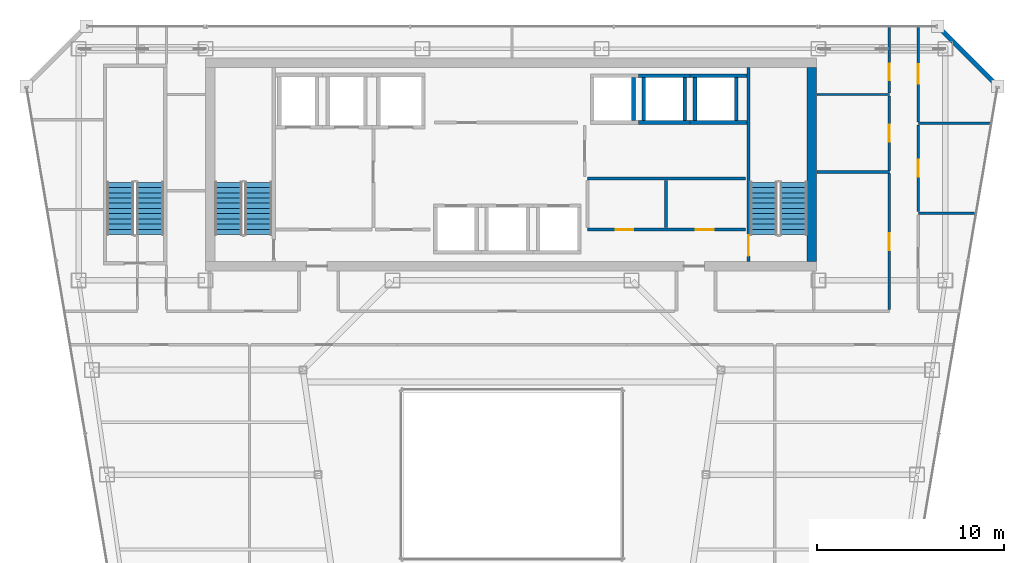
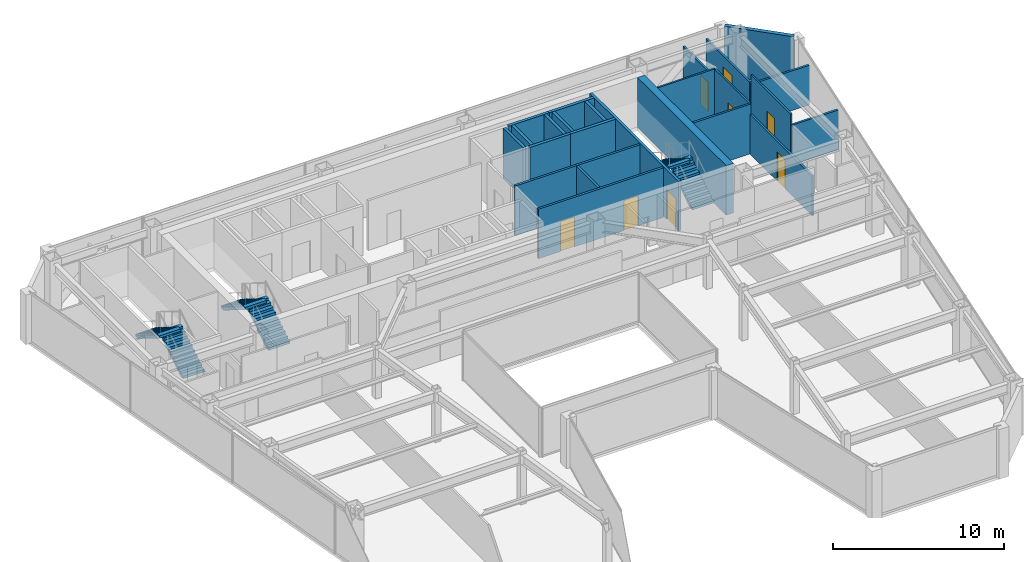
# One storey, part 32 of 35: 24 walls, 8 doors, 6 stair flights, 8 openings, 3 elements without a shape of their own.
"""IFC4 building model written with IfcOpenShell, lengths in metres."""

from ifc_helpers import new_model, si_unit, direction, frame, frame_2d, origin, place, context, subcontext, project, spatial, polyline, rectangle, outline, extrude, material, layer, layer_set, type_object, element, fill, aggregate, save


model = new_model("IFC4")

# Units and contexts
model_context = context("Model", 3, precision=1e-05, world=origin(), true_north=direction((0.0, 1.0)))
body_context = subcontext(model_context, "Body", "Model", "MODEL_VIEW")
ifc_project = project(units=[si_unit("LENGTHUNIT", "METRE"), si_unit("AREAUNIT", "SQUARE_METRE"), si_unit("VOLUMEUNIT", "CUBIC_METRE"), si_unit("PLANEANGLEUNIT", "RADIAN"), si_unit("MASSUNIT", "GRAM", prefix="KILO")], contexts=[model_context])

# Site, building, storey
site_placement = place(None, origin())
site = spatial("IfcSite", under=ifc_project, at=site_placement, CompositionType="ELEMENT")
building_placement = place(site_placement, origin())
building = spatial("IfcBuilding", under=site, at=building_placement, Name="Saevonmaru Cultural Tower", CompositionType="ELEMENT")
storey_placement = place(building_placement, frame((0.0, 0.0, 217.0)))
storey = spatial("IfcBuildingStorey", under=building, at=storey_placement, Name="L50", CompositionType="ELEMENT", Elevation=217.0)

# Wall
ifc_material_1 = material(Name="Concrete C60/75", Category="concrete")
ifc_layer_1 = layer(ifc_material_1, 0.5, Name="Concrete C60/75")
ifc_layer_set_1 = layer_set([ifc_layer_1], Name="Concrete C60/75")
wall_type_1 = type_object("IfcWallType", Name="WL-CORE-500", PredefinedType="SHEAR", material=ifc_layer_set_1)
wall_1_placement = place(storey_placement, frame((46.050048828125, 43.39990234375, 0.0), z_axis=(0.0, 0.0, 1.0), x_axis=(0.0, 1.0, 0.0)))
element("IfcWall", 1, at=wall_1_placement, inside=storey, type_object=wall_type_1, Name="L50 Tower RC core shear wall E", PredefinedType="SHEAR", context=body_context, shape_type="SweptSolid", body=[
    extrude(rectangle(XDim=10.400146484375, YDim=0.5, at=frame_2d((5.2001953125, 0.0))), origin(), (0.0, 0.0, 1.0), 3.550048828125),
])

# Wall, openings, doors
ifc_material_2 = material(Name="Gypsum Fireboard Partition", Category="gypsum")
ifc_layer_2 = layer(ifc_material_2, 0.14990234375, Name="Gypsum Fireboard Partition")
ifc_layer_set_2 = layer_set([ifc_layer_2], Name="Gypsum Fireboard Partition")
wall_type_2 = type_object("IfcWallType", Name="WL-CORE-PART-150", PredefinedType="PARTITIONING", material=ifc_layer_set_2)
wall_2_placement = place(storey_placement, frame((34.050048828125, 45.1201171875, 0.0), z_axis=(0.0, 0.0, 1.0), x_axis=(1.0, 0.0, 0.0)))
wall_2 = element("IfcWall", 2, at=wall_2_placement, inside=storey, type_object=wall_type_2, Name="L50 Core Plant South Wall", PredefinedType="PARTITIONING", context=body_context, shape_type="SweptSolid", body=[
    extrude(rectangle(XDim=8.449951171875, YDim=0.14990234375, at=frame_2d((4.22509765625, 0.0))), origin(), (0.0, 0.0, 1.0), 3.550048828125),
])
opening_1_placement = place(wall_2_placement, frame((1.5, 0.0, 0.0)))
opening_1 = element("IfcOpeningElement", 3, at=opening_1_placement, cuts=wall_2, Name="Opening FD-4", PredefinedType="OPENING", context=body_context, shape_type="SweptSolid", body=[
    extrude(rectangle(XDim=0.949951171875, YDim=2.14990234375, at=frame_2d((0.47509765625, 1.074951171875))), frame((0.0, 0.0849609375, 0.0), z_axis=(0.0, -1.0, 0.0), x_axis=(1.0, 0.0, 0.0)), (0.0, 0.0, 1.0), 0.169921875),
])
opening_2_placement = place(wall_2_placement, frame((5.800048828125, 0.0, 0.0)))
opening_2 = element("IfcOpeningElement", 4, at=opening_2_placement, cuts=wall_2, Name="Opening FD-4", PredefinedType="OPENING", context=body_context, shape_type="SweptSolid", body=[
    extrude(rectangle(XDim=0.949951171875, YDim=2.14990234375, at=frame_2d((0.47509765625, 1.074951171875))), frame((0.0, 0.0849609375, 0.0), z_axis=(0.0, -1.0, 0.0), x_axis=(1.0, 0.0, 0.0)), (0.0, 0.0, 1.0), 0.169921875),
])
ifc_material_3 = material(Name="Satin Bronze Anodised Aluminium", Category="aluminium")
door_type_1 = type_object("IfcDoorType", Name="DR-FD60-950", OperationType="SINGLE_SWING_LEFT", PredefinedType="DOOR", material=ifc_material_3)
door_1_placement = place(opening_1_placement, origin())
door_1 = element("IfcDoor", 5, at=door_1_placement, inside=storey, type_object=door_type_1, Name="L50 Floor AHU Plant Door", OperationType="SINGLE_SWING_LEFT", OverallHeight=2.14990234375, OverallWidth=0.949951171875, PredefinedType="DOOR", context=body_context, shape_type="SweptSolid", body=[
    extrude(rectangle(XDim=0.949951171875, YDim=2.14990234375, at=frame_2d((0.47509765625, 1.074951171875))), frame((0.0, 0.02490234375, 0.0), z_axis=(0.0, -1.0, 0.0), x_axis=(1.0, 0.0, 0.0)), (0.0, 0.0, 1.0), 0.050048828125),
])
fill(opening_1, door_1)
door_2_placement = place(opening_2_placement, origin())
door_2 = element("IfcDoor", 6, at=door_2_placement, inside=storey, type_object=door_type_1, Name="L50 Housekeeping Storage Door", OperationType="SINGLE_SWING_LEFT", OverallHeight=2.14990234375, OverallWidth=0.949951171875, PredefinedType="DOOR", context=body_context, shape_type="SweptSolid", body=[
    extrude(rectangle(XDim=0.949951171875, YDim=2.14990234375, at=frame_2d((0.47509765625, 1.074951171875))), frame((0.0, 0.02490234375, 0.0), z_axis=(0.0, -1.0, 0.0), x_axis=(1.0, 0.0, 0.0)), (0.0, 0.0, 1.0), 0.050048828125),
])
fill(opening_2, door_2)

# Walls
wall_3_placement = place(storey_placement, frame((34.050048828125, 47.85009765625, 0.0), z_axis=(0.0, 0.0, 1.0), x_axis=(1.0, 0.0, 0.0)))
element("IfcWall", 7, at=wall_3_placement, inside=storey, type_object=wall_type_2, Name="L50 Core Plant North Wall", PredefinedType="PARTITIONING", context=body_context, shape_type="SweptSolid", body=[
    extrude(rectangle(XDim=8.449951171875, YDim=0.14990234375, at=frame_2d((4.22509765625, 0.0))), origin(), (0.0, 0.0, 1.0), 3.550048828125),
])
wall_4_placement = place(storey_placement, frame((38.25, 45.219970703125, 0.0), z_axis=(0.0, 0.0, 1.0), x_axis=(0.0, 1.0, 0.0)))
element("IfcWall", 8, at=wall_4_placement, inside=storey, type_object=wall_type_2, Name="L50 Core Plant Split", PredefinedType="PARTITIONING", context=body_context, shape_type="SweptSolid", body=[
    extrude(rectangle(XDim=2.530029296875, YDim=0.14990234375, at=frame_2d((1.26513671875, 0.0))), origin(), (0.0, 0.0, 1.0), 3.550048828125),
])
ifc_material_4 = material(Name="Granite-Clad Precast Concrete C40/50", Category="masonry")
ifc_layer_3 = layer(ifc_material_4, 0.260009765625, Name="Granite-Clad Precast Concrete C40/50")
ifc_layer_set_3 = layer_set([ifc_layer_3], Name="Granite-Clad Precast Concrete C40/50")
wall_type_3 = type_object("IfcWallType", Name="WL-EXT-SPANDREL-260", PredefinedType="STANDARD", material=ifc_layer_set_3)
wall_5_placement = place(storey_placement, frame((55.886962890625, 52.9130859375, 0.0), z_axis=(0.0, 0.0, 1.0), x_axis=(-0.707106781187, 0.707106781187, 0.0)))
element("IfcWall", 9, at=wall_5_placement, inside=storey, type_object=wall_type_3, Name="L50 Chamfer Corner Spandrel Wall E9", PredefinedType="STANDARD", context=body_context, shape_type="SweptSolid", body=[
    extrude(rectangle(XDim=4.205810546875, YDim=0.260009765625, at=frame_2d((2.10302734375, 0.0))), origin(), (0.0, 0.0, 1.0), 3.550048828125),
])
ifc_layer_4 = layer(ifc_material_2, 0.1201171875, Name="Gypsum Fireboard Partition")
ifc_layer_set_4 = layer_set([ifc_layer_4], Name="Gypsum Fireboard Partition")
wall_type_4 = type_object("IfcWallType", Name="WL-PART-GYP-120", PredefinedType="PARTITIONING", material=ifc_layer_set_4)
wall_6_placement = place(storey_placement, frame((46.320068359375, 52.35009765625, 0.0), z_axis=(0.0, 0.0, 1.0), x_axis=(1.0, 0.0, 0.0)))
element("IfcWall", 10, at=wall_6_placement, inside=storey, type_object=wall_type_4, Name="L50 North-East Panorama South Wall", PredefinedType="PARTITIONING", context=body_context, shape_type="SweptSolid", body=[
    extrude(rectangle(XDim=3.8798828125, YDim=0.1201171875, at=frame_2d((1.93994140625, 0.0))), origin(), (0.0, 0.0, 1.0), 3.550048828125),
])

# Wall, opening, door
wall_7_placement = place(storey_placement, frame((50.199951171875, 48.2900390625, 0.0), z_axis=(0.0, 0.0, 1.0), x_axis=(0.0, 1.0, 0.0)))
wall_7 = element("IfcWall", 11, at=wall_7_placement, inside=storey, type_object=wall_type_4, Name="L50 Design Seminar Classroom Corridor Wall", PredefinedType="PARTITIONING", context=body_context, shape_type="SweptSolid", body=[
    extrude(rectangle(XDim=3.97998046875, YDim=0.1201171875, at=frame_2d((1.989990234375, 0.0))), origin(), (0.0, 0.0, 1.0), 3.550048828125),
])
opening_3_placement = place(wall_7_placement, frame((1.5400390625, 0.0, 0.0)))
opening_3 = element("IfcOpeningElement", 12, at=opening_3_placement, cuts=wall_7, Name="Opening ID-2", PredefinedType="OPENING", context=body_context, shape_type="SweptSolid", body=[
    extrude(rectangle(XDim=0.89990234375, YDim=2.10009765625, at=frame_2d((0.449951171875, 1.050048828125))), frame((0.0, 0.070068359375, 0.0), z_axis=(0.0, -1.0, 0.0), x_axis=(1.0, 0.0, 0.0)), (0.0, 0.0, 1.0), 0.14013671875),
])
ifc_material_5 = material(Name="Acoustic Stained Oak Timber", Category="wood")
door_type_2 = type_object("IfcDoorType", Name="DR-INT-900", OperationType="SINGLE_SWING_RIGHT", PredefinedType="DOOR", material=ifc_material_5)
door_3_placement = place(opening_3_placement, origin())
door_3 = element("IfcDoor", 13, at=door_3_placement, inside=storey, type_object=door_type_2, Name="L50 Design Seminar Classroom Door", OperationType="SINGLE_SWING_LEFT", OverallHeight=2.10009765625, OverallWidth=0.89990234375, PredefinedType="DOOR", context=body_context, shape_type="SweptSolid", body=[
    extrude(rectangle(XDim=0.89990234375, YDim=2.10009765625, at=frame_2d((0.449951171875, 1.050048828125))), frame((0.0, 0.02490234375, 0.0), z_axis=(0.0, -1.0, 0.0), x_axis=(1.0, 0.0, 0.0)), (0.0, 0.0, 1.0), 0.050048828125),
])
fill(opening_3, door_3)

wall_8_placement = place(storey_placement, frame((50.199951171875, 52.429931640625, 0.0), z_axis=(0.0, 0.0, 1.0), x_axis=(0.0, 1.0, 0.0)))
wall_8 = element("IfcWall", 14, at=wall_8_placement, inside=storey, type_object=wall_type_4, Name="L50 Printmaking Workshop Classroom Corridor Wall", PredefinedType="PARTITIONING", context=body_context, shape_type="SweptSolid", body=[
    extrude(rectangle(XDim=3.565185546875, YDim=0.1201171875, at=frame_2d((1.78271484375, 0.0))), origin(), (0.0, 0.0, 1.0), 2.93505859375),
])
opening_4_placement = place(wall_8_placement, frame((0.672119140625, 0.0, 0.0)))
opening_4 = element("IfcOpeningElement", 15, at=opening_4_placement, cuts=wall_8, Name="Opening ID-2", PredefinedType="OPENING", context=body_context, shape_type="SweptSolid", body=[
    extrude(rectangle(XDim=0.89990234375, YDim=2.10009765625, at=frame_2d((0.449951171875, 1.050048828125))), frame((0.0, 0.070068359375, 0.0), z_axis=(0.0, -1.0, 0.0), x_axis=(1.0, 0.0, 0.0)), (0.0, 0.0, 1.0), 0.14013671875),
])
door_4_placement = place(opening_4_placement, origin())
door_4 = element("IfcDoor", 16, at=door_4_placement, inside=storey, type_object=door_type_2, Name="L50 Printmaking Workshop Classroom Door", OperationType="SINGLE_SWING_RIGHT", OverallHeight=2.10009765625, OverallWidth=0.89990234375, PredefinedType="DOOR", context=body_context, shape_type="SweptSolid", body=[
    extrude(rectangle(XDim=0.89990234375, YDim=2.10009765625, at=frame_2d((0.449951171875, 1.050048828125))), frame((0.0, 0.02490234375, 0.0), z_axis=(0.0, -1.0, 0.0), x_axis=(1.0, 0.0, 0.0)), (0.0, 0.0, 1.0), 0.050048828125),
])
fill(opening_4, door_4)

wall_9_placement = place(storey_placement, frame((51.75, 46.08740234375, 0.0), z_axis=(0.0, 0.0, 1.0), x_axis=(0.0, 1.0, 0.0)))
wall_9 = element("IfcWall", 17, at=wall_9_placement, inside=storey, type_object=wall_type_4, Name="L50 Civic Policy Meeting Room Corridor Wall", PredefinedType="PARTITIONING", context=body_context, shape_type="SweptSolid", body=[
    extrude(rectangle(XDim=4.625, YDim=0.1201171875, at=frame_2d((2.3125, 0.0))), origin(), (0.0, 0.0, 1.0), 3.550048828125),
])
opening_5_placement = place(wall_9_placement, frame((1.863037109375, 0.0, 0.0)))
opening_5 = element("IfcOpeningElement", 18, at=opening_5_placement, cuts=wall_9, Name="Opening ID-2", PredefinedType="OPENING", context=body_context, shape_type="SweptSolid", body=[
    extrude(rectangle(XDim=0.89990234375, YDim=2.10009765625, at=frame_2d((0.449951171875, 1.050048828125))), frame((0.0, 0.070068359375, 0.0), z_axis=(0.0, -1.0, 0.0), x_axis=(1.0, 0.0, 0.0)), (0.0, 0.0, 1.0), 0.14013671875),
])
door_5_placement = place(opening_5_placement, origin())
door_5 = element("IfcDoor", 19, at=door_5_placement, inside=storey, type_object=door_type_2, Name="L50 Civic Policy Meeting Room Door", OperationType="SINGLE_SWING_RIGHT", OverallHeight=2.10009765625, OverallWidth=0.89990234375, PredefinedType="DOOR", context=body_context, shape_type="SweptSolid", body=[
    extrude(rectangle(XDim=0.89990234375, YDim=2.10009765625, at=frame_2d((0.449951171875, 1.050048828125))), frame((0.0, 0.02490234375, 0.0), z_axis=(0.0, -1.0, 0.0), x_axis=(1.0, 0.0, 0.0)), (0.0, 0.0, 1.0), 0.050048828125),
])
fill(opening_5, door_5)

wall_10_placement = place(storey_placement, frame((51.75, 50.887451171875, 0.0), z_axis=(0.0, 0.0, 1.0), x_axis=(0.0, 1.0, 0.0)))
wall_10 = element("IfcWall", 20, at=wall_10_placement, inside=storey, type_object=wall_type_4, Name="L50 Panorama Reading Room Corridor Wall", PredefinedType="PARTITIONING", context=body_context, shape_type="SweptSolid", body=[
    extrude(rectangle(XDim=5.107666015625, YDim=0.1201171875, at=frame_2d((2.5537109375, 0.0))), origin(), (0.0, 0.0, 1.0), 2.93505859375),
])
opening_6_placement = place(wall_10_placement, frame((2.029052734375, 0.0, 0.0)))
opening_6 = element("IfcOpeningElement", 21, at=opening_6_placement, cuts=wall_10, Name="Opening ID-1", PredefinedType="OPENING", context=body_context, shape_type="SweptSolid", body=[
    extrude(rectangle(XDim=1.050048828125, YDim=2.14990234375, at=frame_2d((0.52490234375, 1.074951171875))), frame((0.0, 0.070068359375, 0.0), z_axis=(0.0, -1.0, 0.0), x_axis=(1.0, 0.0, 0.0)), (0.0, 0.0, 1.0), 0.14013671875),
])
door_type_3 = type_object("IfcDoorType", Name="DR-INT-1050", OperationType="SINGLE_SWING_LEFT", PredefinedType="DOOR", material=ifc_material_3)
door_6_placement = place(opening_6_placement, origin())
door_6 = element("IfcDoor", 22, at=door_6_placement, inside=storey, type_object=door_type_3, Name="L50 Panorama Reading Room Door", OperationType="SINGLE_SWING_LEFT", OverallHeight=2.14990234375, OverallWidth=1.050048828125, PredefinedType="DOOR", context=body_context, shape_type="SweptSolid", body=[
    extrude(rectangle(XDim=1.050048828125, YDim=2.14990234375, at=frame_2d((0.52490234375, 1.074951171875))), frame((0.0, 0.02490234375, 0.0), z_axis=(0.0, -1.0, 0.0), x_axis=(1.0, 0.0, 0.0)), (0.0, 0.0, 1.0), 0.050048828125),
])
fill(opening_6, door_6)

# Walls
ifc_layer_5 = layer(ifc_material_2, 0.135009765625, Name="Gypsum Fireboard Partition")
ifc_layer_set_5 = layer_set([ifc_layer_5], Name="Gypsum Fireboard Partition")
wall_type_5 = type_object("IfcWallType", Name="WL-PART-GYP-135", PredefinedType="PARTITIONING", material=ifc_layer_set_5)
wall_11_placement = place(storey_placement, frame((51.75, 46.0, 0.0), z_axis=(0.0, 0.0, 1.0), x_axis=(1.0, 0.0, 0.0)))
element("IfcWall", 23, at=wall_11_placement, inside=storey, type_object=wall_type_5, Name="L50 NE Studio Divider 1", PredefinedType="PARTITIONING", context=body_context, shape_type="SweptSolid", body=[
    extrude(rectangle(XDim=3.09375, YDim=0.135009765625, at=frame_2d((1.546875, 0.0))), origin(), (0.0, 0.0, 1.0), 2.8349609375),
])
wall_12_placement = place(storey_placement, frame((51.75, 50.800048828125, 0.0), z_axis=(0.0, 0.0, 1.0), x_axis=(1.0, 0.0, 0.0)))
element("IfcWall", 24, at=wall_12_placement, inside=storey, type_object=wall_type_5, Name="L50 NE Studio Divider 2", PredefinedType="PARTITIONING", context=body_context, shape_type="SweptSolid", body=[
    extrude(rectangle(XDim=3.90625, YDim=0.135009765625, at=frame_2d((1.953125, 0.0))), origin(), (0.0, 0.0, 1.0), 2.8349609375),
])
ifc_layer_6 = layer(ifc_material_2, 0.139892578125, Name="Gypsum Fireboard Partition")
ifc_layer_set_6 = layer_set([ifc_layer_6], Name="Gypsum Fireboard Partition")
wall_type_6 = type_object("IfcWallType", Name="WL-PART-WET-140", PredefinedType="PARTITIONING", material=ifc_layer_set_6)
wall_13_placement = place(storey_placement, frame((46.320068359375, 48.199951171875, 0.0), z_axis=(0.0, 0.0, 1.0), x_axis=(1.0, 0.0, 0.0)))
element("IfcWall", 25, at=wall_13_placement, inside=storey, type_object=wall_type_6, Name="L50 Washroom North Wall", PredefinedType="PARTITIONING", context=body_context, shape_type="SweptSolid", body=[
    extrude(rectangle(XDim=3.8798828125, YDim=0.139892578125, at=frame_2d((1.93994140625, 0.0))), origin(), (0.0, 0.0, 1.0), 3.550048828125),
])

# Wall, opening, door
wall_14_placement = place(storey_placement, frame((50.199951171875, 40.840087890625, 0.0), z_axis=(0.0, 0.0, 1.0), x_axis=(0.0, 1.0, 0.0)))
wall_14 = element("IfcWall", 26, at=wall_14_placement, inside=storey, type_object=wall_type_6, Name="L50 Washroom Corridor Wall", PredefinedType="PARTITIONING", context=body_context, shape_type="SweptSolid", body=[
    extrude(rectangle(XDim=7.27001953125, YDim=0.139892578125, at=frame_2d((3.635009765625, 0.0))), origin(), (0.0, 0.0, 1.0), 2.8349609375),
])
opening_7_placement = place(wall_14_placement, frame((3.18505859375, 0.0, 0.0)))
opening_7 = element("IfcOpeningElement", 27, at=opening_7_placement, cuts=wall_14, Name="Opening ID-2", PredefinedType="OPENING", context=body_context, shape_type="SweptSolid", body=[
    extrude(rectangle(XDim=0.89990234375, YDim=2.10009765625, at=frame_2d((0.449951171875, 1.050048828125))), frame((0.0, 0.080078125, 0.0), z_axis=(0.0, -1.0, 0.0), x_axis=(1.0, 0.0, 0.0)), (0.0, 0.0, 1.0), 0.159912109375),
])
door_7_placement = place(opening_7_placement, origin())
door_7 = element("IfcDoor", 28, at=door_7_placement, inside=storey, type_object=door_type_2, Name="L50 Public Accessible Washrooms Door", OperationType="SINGLE_SWING_RIGHT", OverallHeight=2.10009765625, OverallWidth=0.89990234375, PredefinedType="DOOR", context=body_context, shape_type="SweptSolid", body=[
    extrude(rectangle(XDim=0.89990234375, YDim=2.10009765625, at=frame_2d((0.449951171875, 1.050048828125))), frame((0.0, 0.02490234375, 0.0), z_axis=(0.0, -1.0, 0.0), x_axis=(1.0, 0.0, 0.0)), (0.0, 0.0, 1.0), 0.050048828125),
])
fill(opening_7, door_7)

# Walls
ifc_material_6 = material(Name="Concrete C40/50", Category="concrete")
ifc_layer_7 = layer(ifc_material_6, 0.199951171875, Name="Concrete C40/50")
ifc_layer_set_7 = layer_set([ifc_layer_7], Name="Concrete C40/50")
wall_type_7 = type_object("IfcWallType", Name="WL-SHAFT-200", PredefinedType="SHEAR", material=ifc_layer_set_7)
wall_15_placement = place(storey_placement, frame((36.5, 50.949951171875, 0.0), z_axis=(0.0, 0.0, 1.0), x_axis=(0.0, 1.0, 0.0)))
element("IfcWall", 29, at=wall_15_placement, inside=storey, type_object=wall_type_7, Name="L50 Lift PL-H1 Hoistway Wall E", PredefinedType="SHEAR", context=body_context, shape_type="SweptSolid", body=[
    extrude(rectangle(XDim=2.300048828125, YDim=0.199951171875, at=frame_2d((1.14990234375, 0.0))), origin(), (0.0, 0.0, 1.0), 3.550048828125),
])
for number, where, z_axis, x_axis, name in (
    (30, (36.77490234375, 50.85009765625, 0.0), (0.0, 0.0, 1.0), (1.0, 0.0, 0.0), "L50 Lift PL-H2 Hoistway Wall S"),
    (31, (36.77490234375, 53.35009765625, 0.0), (0.0, 0.0, 1.0), (1.0, 0.0, 0.0), "L50 Lift PL-H2 Hoistway Wall N"),
):
    element("IfcWall", number, at=place(storey_placement, frame(where, z_axis=z_axis, x_axis=x_axis)), inside=storey, type_object=wall_type_7, Name=name, PredefinedType="SHEAR", context=body_context, shape_type="SweptSolid", body=[
        extrude(rectangle(XDim=2.75, YDim=0.199951171875, at=frame_2d((1.375, 0.0))), origin(), (0.0, 0.0, 1.0), 3.550048828125),
    ])
for number, where, z_axis, x_axis, name in (
    (32, (37.050048828125, 50.949951171875, 0.0), (0.0, 0.0, 1.0), (0.0, 1.0, 0.0), "L50 Lift PL-H2 Hoistway Wall W"),
    (33, (39.25, 50.949951171875, 0.0), (0.0, 0.0, 1.0), (0.0, 1.0, 0.0), "L50 Lift PL-H2 Hoistway Wall E"),
):
    element("IfcWall", number, at=place(storey_placement, frame(where, z_axis=z_axis, x_axis=x_axis)), inside=storey, type_object=wall_type_7, Name=name, PredefinedType="SHEAR", context=body_context, shape_type="SweptSolid", body=[
        extrude(rectangle(XDim=2.300048828125, YDim=0.199951171875, at=frame_2d((1.14990234375, 0.0))), origin(), (0.0, 0.0, 1.0), 3.550048828125),
    ])
for number, where, z_axis, x_axis, name in (
    (34, (39.52490234375, 50.85009765625, 0.0), (0.0, 0.0, 1.0), (1.0, 0.0, 0.0), "L50 Lift PL-H3 Hoistway Wall S"),
    (35, (39.52490234375, 53.35009765625, 0.0), (0.0, 0.0, 1.0), (1.0, 0.0, 0.0), "L50 Lift PL-H3 Hoistway Wall N"),
):
    element("IfcWall", number, at=place(storey_placement, frame(where, z_axis=z_axis, x_axis=x_axis)), inside=storey, type_object=wall_type_7, Name=name, PredefinedType="SHEAR", context=body_context, shape_type="SweptSolid", body=[
        extrude(rectangle(XDim=3.045166015625, YDim=0.199951171875, at=frame_2d((1.5224609375, 0.0))), origin(), (0.0, 0.0, 1.0), 3.550048828125),
    ])
for number, where, z_axis, x_axis, name in (
    (36, (39.800048828125, 50.949951171875, 0.0), (0.0, 0.0, 1.0), (0.0, 1.0, 0.0), "L50 Lift PL-H3 Hoistway Wall W"),
    (37, (42.0, 50.949951171875, 0.0), (0.0, 0.0, 1.0), (0.0, 1.0, 0.0), "L50 Lift PL-H3 Hoistway Wall E"),
):
    element("IfcWall", number, at=place(storey_placement, frame(where, z_axis=z_axis, x_axis=x_axis)), inside=storey, type_object=wall_type_7, Name=name, PredefinedType="SHEAR", context=body_context, shape_type="SweptSolid", body=[
        extrude(rectangle(XDim=2.300048828125, YDim=0.199951171875, at=frame_2d((1.14990234375, 0.0))), origin(), (0.0, 0.0, 1.0), 3.550048828125),
    ])

# Wall, opening, door
ifc_layer_8 = layer(ifc_material_6, 0.179931640625, Name="Concrete C40/50")
ifc_layer_set_8 = layer_set([ifc_layer_8], Name="Concrete C40/50")
wall_type_8 = type_object("IfcWallType", Name="WL-STSHAFT-180", PredefinedType="SHEAR", material=ifc_layer_set_8)
wall_16_placement = place(storey_placement, frame((42.659912109375, 53.800048828125, 0.0), z_axis=(0.0, 0.0, 1.0), x_axis=(0.0, -1.0, 0.0)))
wall_16 = element("IfcWall", 38, at=wall_16_placement, inside=storey, type_object=wall_type_8, Name="L50 Stair ST-2 Structural Shaft Wall 1", PredefinedType="SHEAR", context=body_context, shape_type="SweptSolid", body=[
    extrude(rectangle(XDim=10.400146484375, YDim=0.179931640625, at=frame_2d((5.2001953125, 0.0))), origin(), (0.0, 0.0, 1.0), 3.550048828125),
])
opening_8_placement = place(wall_16_placement, frame((8.989990234375, 0.0, 0.0)))
opening_8 = element("IfcOpeningElement", 39, at=opening_8_placement, cuts=wall_16, Name="Opening FD-2", PredefinedType="OPENING", context=body_context, shape_type="SweptSolid", body=[
    extrude(rectangle(XDim=1.10009765625, YDim=2.14990234375, at=frame_2d((0.550048828125, 1.074951171875))), frame((0.0, 0.10009765625, 0.0), z_axis=(0.0, -1.0, 0.0), x_axis=(1.0, 0.0, 0.0)), (0.0, 0.0, 1.0), 0.199951171875),
])
door_type_4 = type_object("IfcDoorType", Name="DR-FD60-1100", OperationType="SINGLE_SWING_LEFT", PredefinedType="DOOR", material=ifc_material_3)
door_8_placement = place(opening_8_placement, origin())
door_8 = element("IfcDoor", 40, at=door_8_placement, inside=storey, type_object=door_type_4, Name="L50 Protected Stair ST-2 Fire Door", OperationType="SINGLE_SWING_LEFT", OverallHeight=2.14990234375, OverallWidth=1.10009765625, PredefinedType="DOOR", context=body_context, shape_type="SweptSolid", body=[
    extrude(rectangle(XDim=1.10009765625, YDim=2.14990234375, at=frame_2d((0.550048828125, 1.074951171875))), frame((0.0, 0.02490234375, 0.0), z_axis=(0.0, -1.0, 0.0), x_axis=(1.0, 0.0, 0.0)), (0.0, 0.0, 1.0), 0.050048828125),
])
fill(opening_8, door_8)

# Stair, stair flights
stair_type = type_object("IfcStairType", Name="STR-DOGLEG-RC", PredefinedType="HALF_TURN_STAIR", material=ifc_material_6)
stair_1_placement = place(storey_placement, origin())
stair_1 = element("IfcStair", 41, at=stair_1_placement, inside=storey, type_object=stair_type, Name="L50 Protected exit stair ST-1", PredefinedType="HALF_TURN_STAIR")
ifc_material_7 = material(Name="Precast concrete C40/50", Category="concrete")
stair_flight_type = type_object("IfcStairFlightType", Name="STF-PRECAST-180", PredefinedType="STRAIGHT", material=ifc_material_7)
stair_flight_1_placement = place(storey_placement, frame((16.425048828125, 44.85009765625, 0.0), z_axis=(0.0, 0.0, 1.0), x_axis=(0.0, 1.0, 0.0)))
stair_flight_1 = element("IfcStairFlight", 42, at=stair_flight_1_placement, type_object=stair_flight_type, Name="ST-1-L50 flight 1", NumberOfRisers=11, NumberOfTreads=10, PredefinedType="STRAIGHT", RiserHeight=0.172727273, TreadLength=0.28, context=body_context, shape_type="SweptSolid", body=[
    extrude(outline(polyline([(0.0, 0.0), (0.0, 0.172607421875), (0.280029296875, 0.172607421875), (0.280029296875, 0.345458984375), (0.56005859375, 0.345458984375), (0.56005859375, 0.51806640625), (0.840087890625, 0.51806640625), (0.840087890625, 0.69091796875), (1.1201171875, 0.69091796875), (1.1201171875, 0.863525390625), (1.39990234375, 0.863525390625), (1.39990234375, 1.036376953125), (1.679931640625, 1.036376953125), (1.679931640625, 1.208984375), (1.9599609375, 1.208984375), (1.9599609375, 1.3818359375), (2.239990234375, 1.3818359375), (2.239990234375, 1.554443359375), (2.52001953125, 1.554443359375), (2.52001953125, 1.727294921875), (2.800048828125, 1.727294921875), (2.800048828125, 1.89990234375), (2.800048828125, 1.551025390625), (0.285400390625, 0.0), (0.0, 0.0)])), frame((0.0, 0.72509765625, 0.0), z_axis=(0.0, -1.0, 0.0), x_axis=(1.0, 0.0, 0.0)), (0.0, 0.0, 1.0), 1.449951171875),
])
stair_flight_2_placement = place(storey_placement, frame((14.824951171875, 47.64990234375, 1.89990234375), z_axis=(0.0, 0.0, 1.0), x_axis=(0.0, -1.0, 0.0)))
stair_flight_2 = element("IfcStairFlight", 43, at=stair_flight_2_placement, type_object=stair_flight_type, Name="ST-1-L50 flight 2", NumberOfRisers=11, NumberOfTreads=10, PredefinedType="STRAIGHT", RiserHeight=0.172727273, TreadLength=0.28, context=body_context, shape_type="SweptSolid", body=[
    extrude(outline(polyline([(0.0, 0.0), (0.0, 0.172607421875), (0.280029296875, 0.172607421875), (0.280029296875, 0.345458984375), (0.56005859375, 0.345458984375), (0.56005859375, 0.51806640625), (0.840087890625, 0.51806640625), (0.840087890625, 0.69091796875), (1.1201171875, 0.69091796875), (1.1201171875, 0.863525390625), (1.39990234375, 0.863525390625), (1.39990234375, 1.036376953125), (1.679931640625, 1.036376953125), (1.679931640625, 1.208984375), (1.9599609375, 1.208984375), (1.9599609375, 1.3818359375), (2.239990234375, 1.3818359375), (2.239990234375, 1.554443359375), (2.52001953125, 1.554443359375), (2.52001953125, 1.727294921875), (2.800048828125, 1.727294921875), (2.800048828125, 1.89990234375), (2.800048828125, 1.551025390625), (0.285400390625, 0.0), (0.0, 0.0)])), frame((0.0, 0.72509765625, 0.0), z_axis=(0.0, -1.0, 0.0), x_axis=(1.0, 0.0, 0.0)), (0.0, 0.0, 1.0), 1.449951171875),
])
aggregate(stair_1, [stair_flight_1, stair_flight_2])

stair_2_placement = place(storey_placement, origin())
stair_2 = element("IfcStair", 44, at=stair_2_placement, inside=storey, type_object=stair_type, Name="L50 Protected exit stair ST-2", PredefinedType="HALF_TURN_STAIR")
stair_flight_3_placement = place(storey_placement, frame((45.074951171875, 44.85009765625, 0.0), z_axis=(0.0, 0.0, 1.0), x_axis=(0.0, 1.0, 0.0)))
stair_flight_3 = element("IfcStairFlight", 45, at=stair_flight_3_placement, type_object=stair_flight_type, Name="ST-2-L50 flight 1", NumberOfRisers=11, NumberOfTreads=10, PredefinedType="STRAIGHT", RiserHeight=0.172727273, TreadLength=0.28, context=body_context, shape_type="SweptSolid", body=[
    extrude(outline(polyline([(0.0, 0.0), (0.0, 0.172607421875), (0.280029296875, 0.172607421875), (0.280029296875, 0.345458984375), (0.56005859375, 0.345458984375), (0.56005859375, 0.51806640625), (0.840087890625, 0.51806640625), (0.840087890625, 0.69091796875), (1.1201171875, 0.69091796875), (1.1201171875, 0.863525390625), (1.39990234375, 0.863525390625), (1.39990234375, 1.036376953125), (1.679931640625, 1.036376953125), (1.679931640625, 1.208984375), (1.9599609375, 1.208984375), (1.9599609375, 1.3818359375), (2.239990234375, 1.3818359375), (2.239990234375, 1.554443359375), (2.52001953125, 1.554443359375), (2.52001953125, 1.727294921875), (2.800048828125, 1.727294921875), (2.800048828125, 1.89990234375), (2.800048828125, 1.551025390625), (0.285400390625, 0.0), (0.0, 0.0)])), frame((0.0, 0.72509765625, 0.0), z_axis=(0.0, -1.0, 0.0), x_axis=(1.0, 0.0, 0.0)), (0.0, 0.0, 1.0), 1.449951171875),
])
stair_flight_4_placement = place(storey_placement, frame((43.47509765625, 47.64990234375, 1.89990234375), z_axis=(0.0, 0.0, 1.0), x_axis=(0.0, -1.0, 0.0)))
stair_flight_4 = element("IfcStairFlight", 46, at=stair_flight_4_placement, type_object=stair_flight_type, Name="ST-2-L50 flight 2", NumberOfRisers=11, NumberOfTreads=10, PredefinedType="STRAIGHT", RiserHeight=0.172727273, TreadLength=0.28, context=body_context, shape_type="SweptSolid", body=[
    extrude(outline(polyline([(0.0, 0.0), (0.0, 0.172607421875), (0.280029296875, 0.172607421875), (0.280029296875, 0.345458984375), (0.56005859375, 0.345458984375), (0.56005859375, 0.51806640625), (0.840087890625, 0.51806640625), (0.840087890625, 0.69091796875), (1.1201171875, 0.69091796875), (1.1201171875, 0.863525390625), (1.39990234375, 0.863525390625), (1.39990234375, 1.036376953125), (1.679931640625, 1.036376953125), (1.679931640625, 1.208984375), (1.9599609375, 1.208984375), (1.9599609375, 1.3818359375), (2.239990234375, 1.3818359375), (2.239990234375, 1.554443359375), (2.52001953125, 1.554443359375), (2.52001953125, 1.727294921875), (2.800048828125, 1.727294921875), (2.800048828125, 1.89990234375), (2.800048828125, 1.551025390625), (0.285400390625, 0.0), (0.0, 0.0)])), frame((0.0, 0.72509765625, 0.0), z_axis=(0.0, -1.0, 0.0), x_axis=(1.0, 0.0, 0.0)), (0.0, 0.0, 1.0), 1.449951171875),
])
aggregate(stair_2, [stair_flight_3, stair_flight_4])

stair_3_placement = place(storey_placement, origin())
stair_3 = element("IfcStair", 47, at=stair_3_placement, inside=storey, type_object=stair_type, Name="L50 Protected exit stair ST-3", PredefinedType="HALF_TURN_STAIR")
stair_flight_5_placement = place(storey_placement, frame((10.625, 44.85009765625, 0.0), z_axis=(0.0, 0.0, 1.0), x_axis=(0.0, 1.0, 0.0)))
stair_flight_5 = element("IfcStairFlight", 48, at=stair_flight_5_placement, type_object=stair_flight_type, Name="ST-3-L50 flight 1", NumberOfRisers=11, NumberOfTreads=10, PredefinedType="STRAIGHT", RiserHeight=0.172727273, TreadLength=0.28, context=body_context, shape_type="SweptSolid", body=[
    extrude(outline(polyline([(0.0, 0.0), (0.0, 0.172607421875), (0.280029296875, 0.172607421875), (0.280029296875, 0.345458984375), (0.56005859375, 0.345458984375), (0.56005859375, 0.51806640625), (0.840087890625, 0.51806640625), (0.840087890625, 0.69091796875), (1.1201171875, 0.69091796875), (1.1201171875, 0.863525390625), (1.39990234375, 0.863525390625), (1.39990234375, 1.036376953125), (1.679931640625, 1.036376953125), (1.679931640625, 1.208984375), (1.9599609375, 1.208984375), (1.9599609375, 1.3818359375), (2.239990234375, 1.3818359375), (2.239990234375, 1.554443359375), (2.52001953125, 1.554443359375), (2.52001953125, 1.727294921875), (2.800048828125, 1.727294921875), (2.800048828125, 1.89990234375), (2.800048828125, 1.551025390625), (0.285400390625, 0.0), (0.0, 0.0)])), frame((0.0, 0.72509765625, 0.0), z_axis=(0.0, -1.0, 0.0), x_axis=(1.0, 0.0, 0.0)), (0.0, 0.0, 1.0), 1.449951171875),
])
stair_flight_6_placement = place(storey_placement, frame((9.02490234375, 47.64990234375, 1.89990234375), z_axis=(0.0, 0.0, 1.0), x_axis=(0.0, -1.0, 0.0)))
stair_flight_6 = element("IfcStairFlight", 49, at=stair_flight_6_placement, type_object=stair_flight_type, Name="ST-3-L50 flight 2", NumberOfRisers=11, NumberOfTreads=10, PredefinedType="STRAIGHT", RiserHeight=0.172727273, TreadLength=0.28, context=body_context, shape_type="SweptSolid", body=[
    extrude(outline(polyline([(0.0, 0.0), (0.0, 0.172607421875), (0.280029296875, 0.172607421875), (0.280029296875, 0.345458984375), (0.56005859375, 0.345458984375), (0.56005859375, 0.51806640625), (0.840087890625, 0.51806640625), (0.840087890625, 0.69091796875), (1.1201171875, 0.69091796875), (1.1201171875, 0.863525390625), (1.39990234375, 0.863525390625), (1.39990234375, 1.036376953125), (1.679931640625, 1.036376953125), (1.679931640625, 1.208984375), (1.9599609375, 1.208984375), (1.9599609375, 1.3818359375), (2.239990234375, 1.3818359375), (2.239990234375, 1.554443359375), (2.52001953125, 1.554443359375), (2.52001953125, 1.727294921875), (2.800048828125, 1.727294921875), (2.800048828125, 1.89990234375), (2.800048828125, 1.551025390625), (0.285400390625, 0.0), (0.0, 0.0)])), frame((0.0, 0.72509765625, 0.0), z_axis=(0.0, -1.0, 0.0), x_axis=(1.0, 0.0, 0.0)), (0.0, 0.0, 1.0), 1.449951171875),
])
aggregate(stair_3, [stair_flight_5, stair_flight_6])

save(model, "model.ifc")
